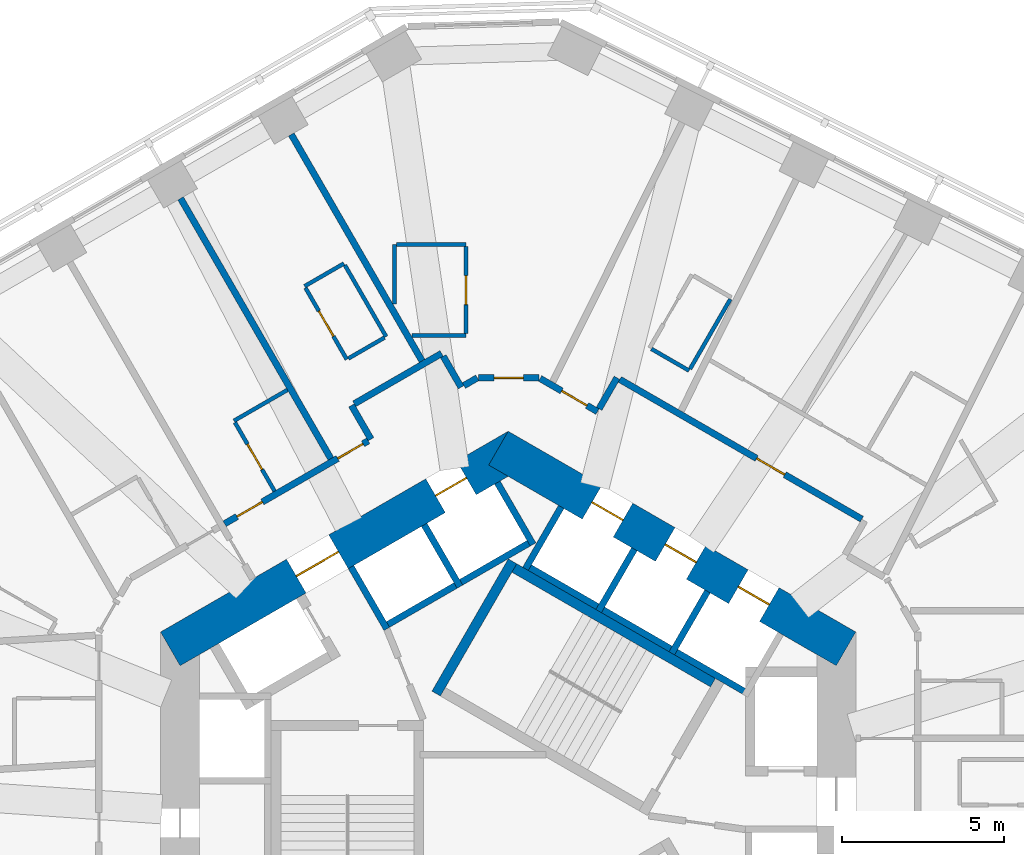
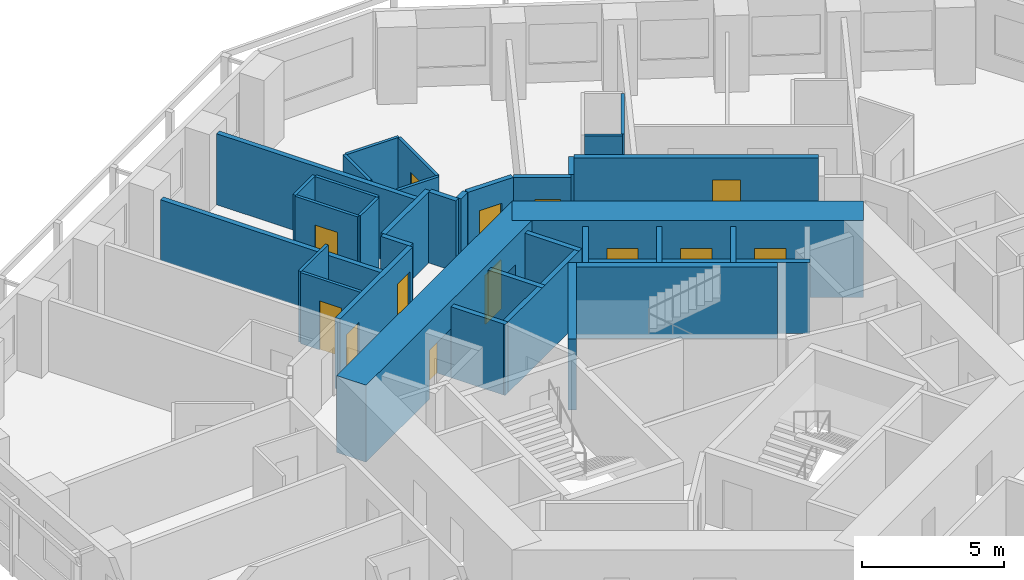
# One storey, part 8 of 12: 35 walls, 13 doors, 13 openings.
"""IFC4 building model written with IfcOpenShell, lengths in metres."""

import ifcopenshell
import ifcopenshell.guid

model = None  # the IFC model being written
_history = None  # IfcOwnerHistory: only IFC2X3 demands one
_inside = {}  # id of a spatial element -> (the spatial element, [elements in it])
_under = {}  # id of a project, library or spatial element -> (it, [spatial elements below it])
_declared = {}  # id of a project -> (the project, [libraries it declares])
_typed = {}  # id of a type object -> (the type object, [elements of that type])
_made_of = {}  # id of a material, layer set ... -> (it, [elements and type objects made of it])


def new_model(schema):
    """Start an empty IFC model of exactly this schema.

    Asked for "IFC4X3", IfcOpenShell would pick the latest addendum, in which some entities
    have other attributes; the version numbers below select the first issue.
    IFC2X3 requires an IfcOwnerHistory on every rooted entity: one is made here for all.
    """
    global model, _history
    if schema == "IFC4X3":
        model = ifcopenshell.file(schema_version=(4, 3, 0, 0))
    else:
        model = ifcopenshell.file(schema=schema)
    _inside.clear()
    _under.clear()
    _declared.clear()
    _typed.clear()
    _made_of.clear()
    _history = None
    if model.schema == "IFC2X3":
        org = make("IfcOrganization", Name="unknown")
        user = make(
            "IfcPersonAndOrganization",
            ThePerson=make("IfcPerson", FamilyName="unknown"),
            TheOrganization=org,
        )
        app = make(
            "IfcApplication",
            ApplicationDeveloper=org,
            Version="unknown",
            ApplicationFullName="unknown",
            ApplicationIdentifier="unknown",
        )
        _history = make(
            "IfcOwnerHistory",
            OwningUser=user,
            OwningApplication=app,
            ChangeAction="ADDED",
            CreationDate=0,
        )
    return model


def make(cls, **values):
    """One entity of the class cls with the attributes given. An attribute that is None is left unset."""
    return model.create_entity(
        cls, **{name: value for name, value in values.items() if value is not None}
    )


def rooted(cls, **values):
    """An entity with a GlobalId (a new one), such as an element, a storey or a relation."""
    return make(cls, GlobalId=ifcopenshell.guid.new(), OwnerHistory=_history, **values)


def si_unit(unit_type, name, prefix=None):
    """IfcSIUnit, for example si_unit("LENGTHUNIT", "METRE", prefix="MILLI")."""
    return make("IfcSIUnit", UnitType=unit_type, Prefix=prefix, Name=name)


def assignment(units):
    """IfcUnitAssignment: the units of a project."""
    return None if units is None else make("IfcUnitAssignment", Units=units)


def point(xyz):
    """IfcCartesianPoint."""
    return None if xyz is None else make("IfcCartesianPoint", Coordinates=xyz)


def direction(xyz):
    """IfcDirection."""
    return None if xyz is None else make("IfcDirection", DirectionRatios=xyz)


def frame(location, z_axis=None, x_axis=None):
    """IfcAxis2Placement3D, a coordinate frame: its origin and axes. An axis left out is left unset."""
    return make(
        "IfcAxis2Placement3D",
        Location=point(location),
        Axis=direction(z_axis),
        RefDirection=direction(x_axis),
    )


def frame_2d(location, x_axis=None):
    """IfcAxis2Placement2D, a coordinate frame in the plane: its origin and x axis."""
    return make(
        "IfcAxis2Placement2D", Location=point(location), RefDirection=direction(x_axis)
    )


def origin():
    """The frame at (0, 0, 0) with its axes left unset."""
    return frame((0.0, 0.0, 0.0))


def place(relative_to, where):
    """IfcLocalPlacement: puts the frame where relative to a parent placement (None: the world)."""
    return make(
        "IfcLocalPlacement", PlacementRelTo=relative_to, RelativePlacement=where
    )


def context(
    kind, dimensions, precision=None, world=None, true_north=None, identifier=None
):
    """IfcGeometricRepresentationContext, for example the 3D "Model" context."""
    return make(
        "IfcGeometricRepresentationContext",
        ContextIdentifier=identifier,
        ContextType=kind,
        CoordinateSpaceDimension=dimensions,
        Precision=precision,
        WorldCoordinateSystem=world,
        TrueNorth=true_north,
    )


def subcontext(parent, identifier, kind, view, scale=None):
    """IfcGeometricRepresentationSubContext, for example "Body" below "Model"."""
    return make(
        "IfcGeometricRepresentationSubContext",
        ContextIdentifier=identifier,
        ContextType=kind,
        ParentContext=parent,
        TargetScale=scale,
        TargetView=view,
    )


def project(units=None, contexts=None):
    """IfcProject with its units and contexts."""
    return rooted(
        "IfcProject",
        Name="project",
        RepresentationContexts=contexts,
        UnitsInContext=assignment(units),
    )


def spatial(cls, under=None, at=None, **own):
    """A site, building, storey or space (cls), placed at a placement, below another one or the project."""
    s = rooted(cls, ObjectPlacement=at, **own)
    if under is not None:
        _under.setdefault(under.id(), (under, []))[1].append(s)
    return s


def profile(cls, at=None, kind="AREA", **sizes):
    """A parametric profile (cls). Its sizes go by their IFC names, for example OverallWidth=200.0."""
    return make(cls, ProfileType=kind, Position=at, **sizes)


def rectangle(**sizes):
    """IfcRectangleProfileDef."""
    return profile("IfcRectangleProfileDef", **sizes)


def extrude(swept, where, along, depth):
    """IfcExtrudedAreaSolid: the profile swept, set in the frame where, extruded along a direction by depth."""
    return make(
        "IfcExtrudedAreaSolid",
        SweptArea=swept,
        Position=where,
        ExtrudedDirection=direction(along),
        Depth=depth,
    )


def shape(context_of_items, identifier, shape_type, items):
    """IfcShapeRepresentation: the items that make up one representation, for example the "Body"."""
    return make(
        "IfcShapeRepresentation",
        ContextOfItems=context_of_items,
        RepresentationIdentifier=identifier,
        RepresentationType=shape_type,
        Items=items,
    )


def material(Name=None, Category=None):
    """IfcMaterial."""
    return make("IfcMaterial", Name=Name, Category=Category)


def layer(
    of_material, thickness, ventilated=None, Name=None, Category=None, Priority=None
):
    """IfcMaterialLayer: one layer of a wall or slab, of a material (None: an air gap)."""
    return make(
        "IfcMaterialLayer",
        Material=of_material,
        LayerThickness=thickness,
        IsVentilated=ventilated,
        Name=Name,
        Category=Category,
        Priority=Priority,
    )


def layer_set(layers, Name=None):
    """IfcMaterialLayerSet."""
    return make("IfcMaterialLayerSet", MaterialLayers=layers, LayerSetName=Name)


def made_of(thing, what):
    """Note that an element or type object is made of a material, layer set ...; save() writes the relation."""
    if what is not None:
        _made_of.setdefault(what.id(), (what, []))[1].append(thing)
    return thing


def type_object(cls, material=None, **own):
    """A type object (cls), such as IfcWallType, which elements share."""
    return made_of(rooted(cls, **own), material)


def element(
    cls,
    number,
    at=None,
    inside=None,
    cuts=None,
    type_object=None,
    material=None,
    context=None,
    identifier="Body",
    shape_type=None,
    held_by="IfcProductDefinitionShape",
    body=None,
    shapes=None,
    **own,
):
    """One element of the class cls, such as IfcWall. Its Tag is "e" and its number.

    at: its placement. inside: the storey or other place that contains it. cuts: it is an
    opening in that element (IfcRelVoidsElement). A single representation is given by context,
    identifier, shape_type and body (its items); several are given by shapes. held_by: the class
    of the entity that holds the representations. save() writes the other relations.
    """
    e = rooted(cls, Tag="e%d" % number, ObjectPlacement=at, **own)
    if body is not None:
        shapes = [shape(context, identifier, shape_type, body)]
    if shapes is not None:
        e.Representation = make(held_by, Representations=shapes)
    if inside is not None:
        _inside.setdefault(inside.id(), (inside, []))[1].append(e)
    if cuts is not None:
        rooted(
            "IfcRelVoidsElement", RelatingBuildingElement=cuts, RelatedOpeningElement=e
        )
    if type_object is not None:
        _typed.setdefault(type_object.id(), (type_object, []))[1].append(e)
    return made_of(e, material)


def fill(opening, filler):
    """IfcRelFillsElement: the door or window that sits in an opening."""
    return rooted(
        "IfcRelFillsElement",
        RelatingOpeningElement=opening,
        RelatedBuildingElement=filler,
    )


def aggregate(whole, parts):
    """IfcRelAggregates: a whole, such as a stair, and the parts it consists of."""
    return rooted("IfcRelAggregates", RelatingObject=whole, RelatedObjects=parts)


def save(model, path):
    """Write the relations noted so far, then the file.

    IfcRelAggregates (storeys below a building ...), IfcRelContainedInSpatialStructure (elements
    in a storey), IfcRelDefinesByType, IfcRelAssociatesMaterial and IfcRelDeclares: one each for
    every whole, place, type object, material and project.
    """
    for whole, parts in _under.values():
        aggregate(whole, parts)
    for where, things in _inside.values():
        rooted(
            "IfcRelContainedInSpatialStructure",
            RelatedElements=things,
            RelatingStructure=where,
        )
    for kind, things in _typed.values():
        rooted("IfcRelDefinesByType", RelatedObjects=things, RelatingType=kind)
    for what, things in _made_of.values():
        rooted("IfcRelAssociatesMaterial", RelatedObjects=things, RelatingMaterial=what)
    for by, libraries in _declared.values():
        rooted("IfcRelDeclares", RelatingContext=by, RelatedDefinitions=libraries)
    model.write(path)


model = new_model("IFC4")

# Units and contexts
model_context = context("Model", 3, precision=1e-05, world=origin(), true_north=direction((0.0, 1.0)))
body_context = subcontext(model_context, "Body", "Model", "MODEL_VIEW")
ifc_project = project(units=[si_unit("LENGTHUNIT", "METRE"), si_unit("AREAUNIT", "SQUARE_METRE"), si_unit("VOLUMEUNIT", "CUBIC_METRE"), si_unit("PLANEANGLEUNIT", "RADIAN"), si_unit("MASSUNIT", "GRAM", prefix="KILO")], contexts=[model_context])

# Site, building, storey
site_placement = place(None, origin())
site = spatial("IfcSite", under=ifc_project, at=site_placement, CompositionType="ELEMENT")
building_placement = place(site_placement, origin())
building = spatial("IfcBuilding", under=site, at=building_placement, Name="Vanh Sen Convention Tower", CompositionType="ELEMENT")
storey_placement = place(building_placement, frame((0.0, 0.0, 90.199951171875)))
storey = spatial("IfcBuildingStorey", under=building, at=storey_placement, Name="L20", CompositionType="ELEMENT", Elevation=90.199951171875)

# Wall
ifc_material_1 = material(Name="Moisture-resistant gypsum board on steel studs", Category="steel")
ifc_layer_1 = layer(ifc_material_1, 0.1201171875)
ifc_layer_set_1 = layer_set([ifc_layer_1], Name="Moisture-resistant gypsum board on steel studs")
wall_type_1 = type_object("IfcWallType", Name="Bathroom partition 120", PredefinedType="PARTITIONING", material=ifc_layer_set_1)
wall_1_placement = place(storey_placement, frame((-8.43994140625, 12.6787109375, 0.0), z_axis=(0.0, 0.0, 1.0), x_axis=(0.866044365799, 0.499967155389, 0.0)))
element("IfcWall", 1, at=wall_1_placement, inside=storey, type_object=wall_type_1, Name="Bathroom partition 120", PredefinedType="PARTITIONING", context=body_context, shape_type="SweptSolid", body=[
    extrude(rectangle(XDim=1.900146484375, YDim=0.1201171875, at=frame_2d((0.9501953125, 0.0))), origin(), (0.0, 0.0, 1.0), 3.050048828125),
])

# Wall, opening, door
wall_2_placement = place(storey_placement, frame((-7.18994140625, 10.513427734375, 0.0), z_axis=(0.0, 0.0, 1.0), x_axis=(-0.499959183527, 0.866048967903, 0.0)))
wall_2 = element("IfcWall", 2, at=wall_2_placement, inside=storey, type_object=wall_type_1, Name="Bathroom partition 120", PredefinedType="PARTITIONING", context=body_context, shape_type="SweptSolid", body=[
    extrude(rectangle(XDim=2.440185546875, YDim=0.1201171875, at=frame_2d((1.22021484375, 0.0))), origin(), (0.0, 0.0, 1.0), 3.050048828125),
])
opening_1_placement = place(wall_2_placement, frame((0.77001953125, 0.0, 0.0)))
opening_1 = element("IfcOpeningElement", 3, at=opening_1_placement, cuts=wall_2, Name="Opening D19120", PredefinedType="OPENING", context=body_context, shape_type="SweptSolid", body=[
    extrude(rectangle(XDim=0.89990234375, YDim=2.10009765625, at=frame_2d((0.449951171875, 1.050048828125))), frame((0.0, 0.070068359375, 0.0), z_axis=(0.0, -1.0, 0.0), x_axis=(1.0, 0.0, 0.0)), (0.0, 0.0, 1.0), 0.14013671875),
])
ifc_material_2 = material(Name="Laminate door in steel frame", Category="steel")
door_type_1 = type_object("IfcDoorType", Name="En-suite door 900", OperationType="SINGLE_SWING_LEFT", PredefinedType="DOOR", material=ifc_material_2)
door_1_placement = place(opening_1_placement, origin())
door_1 = element("IfcDoor", 4, at=door_1_placement, inside=storey, type_object=door_type_1, Name="En-suite door D19120", OperationType="SINGLE_SWING_LEFT", OverallHeight=2.10009765625, OverallWidth=0.89990234375, PredefinedType="DOOR", context=body_context, shape_type="SweptSolid", body=[
    extrude(rectangle(XDim=0.89990234375, YDim=2.10009765625, at=frame_2d((0.449951171875, 1.050048828125))), frame((0.0, 0.02490234375, 0.0), z_axis=(0.0, -1.0, 0.0), x_axis=(1.0, 0.0, 0.0)), (0.0, 0.0, 1.0), 0.050048828125),
])
fill(opening_1, door_1)

# Walls
wall_3_placement = place(storey_placement, frame((-6.268310546875, 16.8203125, 0.0), z_axis=(0.0, 0.0, 1.0), x_axis=(0.866002662425, 0.500039387122, 0.0)))
element("IfcWall", 5, at=wall_3_placement, inside=storey, type_object=wall_type_1, Name="Bathroom partition 120", PredefinedType="PARTITIONING", context=body_context, shape_type="SweptSolid", body=[
    extrude(rectangle(XDim=1.400390625, YDim=0.1201171875, at=frame_2d((0.7001953125, 0.0))), origin(), (0.0, 0.0, 1.0), 3.050048828125),
])
wall_4_placement = place(storey_placement, frame((-5.025634765625, 17.468505859375, 0.0), z_axis=(0.0, 0.0, 1.0), x_axis=(0.500005339912, -0.866022320763, 0.0)))
element("IfcWall", 6, at=wall_4_placement, inside=storey, type_object=wall_type_1, Name="Bathroom partition 120", PredefinedType="PARTITIONING", context=body_context, shape_type="SweptSolid", body=[
    extrude(rectangle(XDim=2.5400390625, YDim=0.1201171875, at=frame_2d((1.27001953125, 0.0))), origin(), (0.0, 0.0, 1.0), 3.050048828125),
])

# Wall, opening, door
wall_5_placement = place(storey_placement, frame((-4.96826171875, 14.56884765625, 0.0), z_axis=(0.0, 0.0, 1.0), x_axis=(-0.500046963369, 0.865998287773, 0.0)))
wall_5 = element("IfcWall", 7, at=wall_5_placement, inside=storey, type_object=wall_type_1, Name="Bathroom partition 120", PredefinedType="PARTITIONING", context=body_context, shape_type="SweptSolid", body=[
    extrude(rectangle(XDim=2.539794921875, YDim=0.1201171875, at=frame_2d((1.27001953125, 0.0))), origin(), (0.0, 0.0, 1.0), 3.050048828125),
])
opening_2_placement = place(wall_5_placement, frame((0.820068359375, 0.0, 0.0)))
opening_2 = element("IfcOpeningElement", 8, at=opening_2_placement, cuts=wall_5, Name="Opening D19118", PredefinedType="OPENING", context=body_context, shape_type="SweptSolid", body=[
    extrude(rectangle(XDim=0.89990234375, YDim=2.10009765625, at=frame_2d((0.449951171875, 1.050048828125))), frame((0.0, 0.070068359375, 0.0), z_axis=(0.0, -1.0, 0.0), x_axis=(1.0, 0.0, 0.0)), (0.0, 0.0, 1.0), 0.14013671875),
])
door_2_placement = place(opening_2_placement, origin())
door_2 = element("IfcDoor", 9, at=door_2_placement, inside=storey, type_object=door_type_1, Name="En-suite door D19118", OperationType="SINGLE_SWING_LEFT", OverallHeight=2.10009765625, OverallWidth=0.89990234375, PredefinedType="DOOR", context=body_context, shape_type="SweptSolid", body=[
    extrude(rectangle(XDim=0.89990234375, YDim=2.10009765625, at=frame_2d((0.449951171875, 1.050048828125))), frame((0.0, 0.02490234375, 0.0), z_axis=(0.0, -1.0, 0.0), x_axis=(1.0, 0.0, 0.0)), (0.0, 0.0, 1.0), 0.050048828125),
])
fill(opening_2, door_2)

# Walls
wall_6_placement = place(storey_placement, frame((-3.8076171875, 15.23876953125, 0.0), z_axis=(0.0, 0.0, 1.0), x_axis=(-0.866087136806, -0.499893060024, 0.0)))
element("IfcWall", 10, at=wall_6_placement, inside=storey, type_object=wall_type_1, Name="Bathroom partition 120", PredefinedType="PARTITIONING", context=body_context, shape_type="SweptSolid", body=[
    extrude(rectangle(XDim=1.280029296875, YDim=0.1201171875, at=frame_2d((0.64013671875, 0.0))), origin(), (0.0, 0.0, 1.0), 3.050048828125),
])
wall_7_placement = place(storey_placement, frame((-3.5, 16.271484375, 0.0), z_axis=(0.0, 0.0, 1.0), x_axis=(0.0, 1.0, 0.0)))
element("IfcWall", 11, at=wall_7_placement, inside=storey, type_object=wall_type_1, Name="Bathroom partition 120", PredefinedType="PARTITIONING", context=body_context, shape_type="SweptSolid", body=[
    extrude(rectangle(XDim=1.8291015625, YDim=0.1201171875, at=frame_2d((0.91455078125, 0.0))), origin(), (0.0, 0.0, 1.0), 3.050048828125),
])
wall_8_placement = place(storey_placement, frame((-3.43994140625, 18.1005859375, 0.0), z_axis=(0.0, 0.0, 1.0), x_axis=(1.0, 0.0, 0.0)))
element("IfcWall", 12, at=wall_8_placement, inside=storey, type_object=wall_type_1, Name="Bathroom partition 120", PredefinedType="PARTITIONING", context=body_context, shape_type="SweptSolid", body=[
    extrude(rectangle(XDim=2.139892578125, YDim=0.1201171875, at=frame_2d((1.06982421875, 0.0))), origin(), (0.0, 0.0, 1.0), 3.050048828125),
])
wall_9_placement = place(storey_placement, frame((-1.300048828125, 15.30078125, 0.0), z_axis=(0.0, 0.0, 1.0), x_axis=(-1.0, 0.0, 0.0)))
element("IfcWall", 13, at=wall_9_placement, inside=storey, type_object=wall_type_1, Name="Bathroom partition 120", PredefinedType="PARTITIONING", context=body_context, shape_type="SweptSolid", body=[
    extrude(rectangle(XDim=1.6611328125, YDim=0.1201171875, at=frame_2d((0.83056640625, 0.0))), origin(), (0.0, 0.0, 1.0), 3.050048828125),
])

# Wall, opening, door
wall_10_placement = place(storey_placement, frame((-1.300048828125, 18.040771484375, 0.0), z_axis=(0.0, 0.0, 1.0), x_axis=(0.0, -1.0, 0.0)))
wall_10 = element("IfcWall", 14, at=wall_10_placement, inside=storey, type_object=wall_type_1, Name="Bathroom partition 120", PredefinedType="PARTITIONING", context=body_context, shape_type="SweptSolid", body=[
    extrude(rectangle(XDim=2.68017578125, YDim=0.1201171875, at=frame_2d((1.340087890625, 0.0))), origin(), (0.0, 0.0, 1.0), 3.050048828125),
])
opening_3_placement = place(wall_10_placement, frame((0.889892578125, 0.0, 0.0)))
opening_3 = element("IfcOpeningElement", 15, at=opening_3_placement, cuts=wall_10, Name="Opening D19116", PredefinedType="OPENING", context=body_context, shape_type="SweptSolid", body=[
    extrude(rectangle(XDim=0.89990234375, YDim=2.10009765625, at=frame_2d((0.449951171875, 1.050048828125))), frame((0.0, 0.070068359375, 0.0), z_axis=(0.0, -1.0, 0.0), x_axis=(1.0, 0.0, 0.0)), (0.0, 0.0, 1.0), 0.14013671875),
])
door_3_placement = place(opening_3_placement, origin())
door_3 = element("IfcDoor", 16, at=door_3_placement, inside=storey, type_object=door_type_1, Name="En-suite door D19116", OperationType="SINGLE_SWING_LEFT", OverallHeight=2.10009765625, OverallWidth=0.89990234375, PredefinedType="DOOR", context=body_context, shape_type="SweptSolid", body=[
    extrude(rectangle(XDim=0.89990234375, YDim=2.10009765625, at=frame_2d((0.449951171875, 1.050048828125))), frame((0.0, 0.02490234375, 0.0), z_axis=(0.0, -1.0, 0.0), x_axis=(1.0, 0.0, 0.0)), (0.0, 0.0, 1.0), 0.050048828125),
])
fill(opening_3, door_3)

# Walls
wall_11_placement = place(storey_placement, frame((5.568603515625, 14.22216796875, 0.0), z_axis=(0.0, 0.0, 1.0), x_axis=(-0.866036909293, 0.499980071345, 0.0)))
element("IfcWall", 17, at=wall_11_placement, inside=storey, type_object=wall_type_1, Name="Bathroom partition 120", PredefinedType="PARTITIONING", context=body_context, shape_type="SweptSolid", body=[
    extrude(rectangle(XDim=1.33984375, YDim=0.1201171875, at=frame_2d((0.669921875, 0.0))), origin(), (0.0, 0.0, 1.0), 3.050048828125),
])
wall_12_placement = place(storey_placement, frame((6.838623046875, 16.421875, 0.0), z_axis=(0.0, 0.0, 1.0), x_axis=(-0.50000366821, -0.866023285932, 0.0)))
element("IfcWall", 18, at=wall_12_placement, inside=storey, type_object=wall_type_1, Name="Bathroom partition 120", PredefinedType="PARTITIONING", context=body_context, shape_type="SweptSolid", body=[
    extrude(rectangle(XDim=2.47998046875, YDim=0.1201171875, at=frame_2d((1.239990234375, 0.0))), origin(), (0.0, 0.0, 1.0), 3.050048828125),
])

# Wall, openings, doors
ifc_material_3 = material(Name="Concrete C80/95", Category="concrete")
ifc_layer_2 = layer(ifc_material_3, 1.199951171875)
ifc_layer_set_2 = layer_set([ifc_layer_2], Name="Concrete C80/95")
wall_type_2 = type_object("IfcWallType", Name="Core outer wall 1200 C80/95", PredefinedType="SHEAR", material=ifc_layer_set_2)
wall_13_placement = place(storey_placement, frame((10.39990234375, 5.657958984375, 0.0), z_axis=(0.0, 0.0, 1.0), x_axis=(-0.866021384402, 0.500006961711, 0.0)))
wall_13 = element("IfcWall", 19, at=wall_13_placement, inside=storey, type_object=wall_type_2, Name="Core wall face NE L20", PredefinedType="SHEAR", context=body_context, shape_type="SweptSolid", body=[
    extrude(rectangle(XDim=12.355224609375, YDim=1.199951171875, at=frame_2d((6.177734375, 0.0))), origin(), (0.0, 0.0, 1.0), 3.300048828125),
])
opening_4_placement = place(wall_13_placement, frame((2.727783203125, 0.0, 0.0)))
opening_4 = element("IfcOpeningElement", 20, at=opening_4_placement, cuts=wall_13, Name="Opening LD-LR3", PredefinedType="OPENING", context=body_context, shape_type="SweptSolid", body=[
    extrude(rectangle(XDim=1.10009765625, YDim=2.10009765625, at=frame_2d((0.550048828125, 1.050048828125))), frame((0.0, 0.60986328125, 0.0), z_axis=(0.0, -1.0, 0.0), x_axis=(1.0, 0.0, 0.0)), (0.0, 0.0, 1.0), 1.219970703125),
])
opening_5_placement = place(wall_13_placement, frame((5.32763671875, 0.0, 0.0)))
opening_5 = element("IfcOpeningElement", 21, at=opening_5_placement, cuts=wall_13, Name="Opening LD-LR4", PredefinedType="OPENING", context=body_context, shape_type="SweptSolid", body=[
    extrude(rectangle(XDim=1.10009765625, YDim=2.10009765625, at=frame_2d((0.550048828125, 1.050048828125))), frame((0.0, 0.60986328125, 0.0), z_axis=(0.0, -1.0, 0.0), x_axis=(1.0, 0.0, 0.0)), (0.0, 0.0, 1.0), 1.219970703125),
])
opening_6_placement = place(wall_13_placement, frame((7.927734375, 0.0, 0.0)))
opening_6 = element("IfcOpeningElement", 22, at=opening_6_placement, cuts=wall_13, Name="Opening LD-LR5", PredefinedType="OPENING", context=body_context, shape_type="SweptSolid", body=[
    extrude(rectangle(XDim=1.10009765625, YDim=2.10009765625, at=frame_2d((0.550048828125, 1.050048828125))), frame((0.0, 0.60986328125, 0.0), z_axis=(0.0, -1.0, 0.0), x_axis=(1.0, 0.0, 0.0)), (0.0, 0.0, 1.0), 1.219970703125),
])
ifc_material_4 = material(Name="Stainless steel", Category="steel")
door_type_2 = type_object("IfcDoorType", Name="Lift landing door 1100", OperationType="DOUBLE_DOOR_SLIDING", PredefinedType="DOOR", material=ifc_material_4)
door_4_placement = place(opening_4_placement, origin())
door_4 = element("IfcDoor", 23, at=door_4_placement, inside=storey, type_object=door_type_2, Name="Lift LR3 landing door LD-LR3", OperationType="DOUBLE_DOOR_SLIDING", OverallHeight=2.10009765625, OverallWidth=1.10009765625, PredefinedType="DOOR", context=body_context, shape_type="SweptSolid", body=[
    extrude(rectangle(XDim=1.10009765625, YDim=2.10009765625, at=frame_2d((0.550048828125, 1.050048828125))), frame((0.0, 0.02490234375, 0.0), z_axis=(0.0, -1.0, 0.0), x_axis=(1.0, 0.0, 0.0)), (0.0, 0.0, 1.0), 0.050048828125),
])
fill(opening_4, door_4)
door_5_placement = place(opening_5_placement, origin())
door_5 = element("IfcDoor", 24, at=door_5_placement, inside=storey, type_object=door_type_2, Name="Lift LR4 landing door LD-LR4", OperationType="DOUBLE_DOOR_SLIDING", OverallHeight=2.10009765625, OverallWidth=1.10009765625, PredefinedType="DOOR", context=body_context, shape_type="SweptSolid", body=[
    extrude(rectangle(XDim=1.10009765625, YDim=2.10009765625, at=frame_2d((0.550048828125, 1.050048828125))), frame((0.0, 0.02490234375, 0.0), z_axis=(0.0, -1.0, 0.0), x_axis=(1.0, 0.0, 0.0)), (0.0, 0.0, 1.0), 0.050048828125),
])
fill(opening_5, door_5)
door_6_placement = place(opening_6_placement, origin())
door_6 = element("IfcDoor", 25, at=door_6_placement, inside=storey, type_object=door_type_2, Name="Lift LR5 landing door LD-LR5", OperationType="DOUBLE_DOOR_SLIDING", OverallHeight=2.10009765625, OverallWidth=1.10009765625, PredefinedType="DOOR", context=body_context, shape_type="SweptSolid", body=[
    extrude(rectangle(XDim=1.10009765625, YDim=2.10009765625, at=frame_2d((0.550048828125, 1.050048828125))), frame((0.0, 0.02490234375, 0.0), z_axis=(0.0, -1.0, 0.0), x_axis=(1.0, 0.0, 0.0)), (0.0, 0.0, 1.0), 0.050048828125),
])
fill(opening_6, door_6)

wall_14_placement = place(storey_placement, frame((0.300048828125, 11.835693359375, 0.0), z_axis=(0.0, 0.0, 1.0), x_axis=(-0.866021384402, -0.500006961711, 0.0)))
wall_14 = element("IfcWall", 26, at=wall_14_placement, inside=storey, type_object=wall_type_2, Name="Core wall face NW L20", PredefinedType="SHEAR", context=body_context, shape_type="SweptSolid", body=[
    extrude(rectangle(XDim=12.355224609375, YDim=1.199951171875, at=frame_2d((6.177734375, 0.0))), origin(), (0.0, 0.0, 1.0), 3.300048828125),
])
opening_7_placement = place(wall_14_placement, frame((6.377685546875, 0.0, 0.0)))
opening_7 = element("IfcOpeningElement", 27, at=opening_7_placement, cuts=wall_14, Name="Opening D19002", PredefinedType="OPENING", context=body_context, shape_type="SweptSolid", body=[
    extrude(rectangle(XDim=1.5, YDim=2.10009765625, at=frame_2d((0.75, 1.050048828125))), frame((0.0, 0.60986328125, 0.0), z_axis=(0.0, -1.0, 0.0), x_axis=(1.0, 0.0, 0.0)), (0.0, 0.0, 1.0), 1.219970703125),
])
opening_8_placement = place(wall_14_placement, frame((1.82763671875, 0.0, 0.0)))
opening_8 = element("IfcOpeningElement", 28, at=opening_8_placement, cuts=wall_14, Name="Opening LD-LR6", PredefinedType="OPENING", context=body_context, shape_type="SweptSolid", body=[
    extrude(rectangle(XDim=1.10009765625, YDim=2.10009765625, at=frame_2d((0.550048828125, 1.050048828125))), frame((0.0, 0.60986328125, 0.0), z_axis=(0.0, -1.0, 0.0), x_axis=(1.0, 0.0, 0.0)), (0.0, 0.0, 1.0), 1.219970703125),
])
door_7_placement = place(opening_8_placement, origin())
door_7 = element("IfcDoor", 29, at=door_7_placement, inside=storey, type_object=door_type_2, Name="Lift LR6 landing door LD-LR6", OperationType="DOUBLE_DOOR_SLIDING", OverallHeight=2.10009765625, OverallWidth=1.10009765625, PredefinedType="DOOR", context=body_context, shape_type="SweptSolid", body=[
    extrude(rectangle(XDim=1.10009765625, YDim=2.10009765625, at=frame_2d((0.550048828125, 1.050048828125))), frame((0.0, 0.02490234375, 0.0), z_axis=(0.0, -1.0, 0.0), x_axis=(1.0, 0.0, 0.0)), (0.0, 0.0, 1.0), 0.050048828125),
])
fill(opening_8, door_7)
ifc_material_5 = material(Name="Steel S355", Category="steel")
door_type_3 = type_object("IfcDoorType", Name="Stair lobby door 1500", OperationType="DOUBLE_DOOR_SINGLE_SWING", PredefinedType="DOOR", material=ifc_material_5)
door_8_placement = place(opening_7_placement, origin())
door_8 = element("IfcDoor", 30, at=door_8_placement, inside=storey, type_object=door_type_3, Name="Stair lobby door D19002", OperationType="DOUBLE_DOOR_SINGLE_SWING", OverallHeight=2.10009765625, OverallWidth=1.5, PredefinedType="DOOR", context=body_context, shape_type="SweptSolid", body=[
    extrude(rectangle(XDim=1.5, YDim=2.10009765625, at=frame_2d((0.75, 1.050048828125))), frame((0.0, 0.02490234375, 0.0), z_axis=(0.0, -1.0, 0.0), x_axis=(1.0, 0.0, 0.0)), (0.0, 0.0, 1.0), 0.050048828125),
])
fill(opening_7, door_8)

# Wall
ifc_material_6 = material(Name="Gypsum board on steel studs with mineral wool", Category="steel")
ifc_layer_3 = layer(ifc_material_6, 0.199951171875)
ifc_layer_set_3 = layer_set([ifc_layer_3], Name="Gypsum board on steel studs with mineral wool")
wall_type_3 = type_object("IfcWallType", Name="Corridor partition wall 200", PredefinedType="PARTITIONING", material=ifc_layer_set_3)
wall_15_placement = place(storey_placement, frame((-4.822998046875, 13.151611328125, 0.0), z_axis=(0.0, 0.0, 1.0), x_axis=(0.499986357472, -0.866033280158, 0.0)))
element("IfcWall", 31, at=wall_15_placement, inside=storey, type_object=wall_type_3, Name="Corridor partition wall 200", PredefinedType="PARTITIONING", context=body_context, shape_type="SweptSolid", body=[
    extrude(rectangle(XDim=1.201171875, YDim=0.199951171875, at=frame_2d((0.6005859375, 0.0))), origin(), (0.0, 0.0, 1.0), 3.050048828125),
])

# Wall, openings, doors
wall_16_placement = place(storey_placement, frame((-4.30908203125, 12.061279296875, 0.0), z_axis=(0.0, 0.0, 1.0), x_axis=(-0.866020679205, -0.500008183122, 0.0)))
wall_16 = element("IfcWall", 32, at=wall_16_placement, inside=storey, type_object=wall_type_3, Name="Corridor partition wall 200", PredefinedType="PARTITIONING", context=body_context, shape_type="SweptSolid", body=[
    extrude(rectangle(XDim=5.103515625, YDim=0.199951171875, at=frame_2d((2.5517578125, 0.0))), origin(), (0.0, 0.0, 1.0), 3.050048828125),
])
opening_9_placement = place(wall_16_placement, frame((0.1845703125, 0.0, 0.0)))
opening_9 = element("IfcOpeningElement", 33, at=opening_9_placement, cuts=wall_16, Name="Opening D19117", PredefinedType="OPENING", context=body_context, shape_type="SweptSolid", body=[
    extrude(rectangle(XDim=0.89990234375, YDim=2.10009765625, at=frame_2d((0.449951171875, 1.050048828125))), frame((0.0, 0.10986328125, 0.0), z_axis=(0.0, -1.0, 0.0), x_axis=(1.0, 0.0, 0.0)), (0.0, 0.0, 1.0), 0.219970703125),
])
opening_10_placement = place(wall_16_placement, frame((3.76123046875, 0.0, 0.0)))
opening_10 = element("IfcOpeningElement", 34, at=opening_10_placement, cuts=wall_16, Name="Opening D19119", PredefinedType="OPENING", context=body_context, shape_type="SweptSolid", body=[
    extrude(rectangle(XDim=0.89990234375, YDim=2.10009765625, at=frame_2d((0.449951171875, 1.050048828125))), frame((0.0, 0.10986328125, 0.0), z_axis=(0.0, -1.0, 0.0), x_axis=(1.0, 0.0, 0.0)), (0.0, 0.0, 1.0), 0.219970703125),
])
ifc_material_7 = material(Name="Timber fire door in steel frame", Category="steel")
door_type_4 = type_object("IfcDoorType", Name="Guest room door 900", OperationType="SINGLE_SWING_LEFT", PredefinedType="DOOR", material=ifc_material_7)
door_9_placement = place(opening_9_placement, origin())
door_9 = element("IfcDoor", 35, at=door_9_placement, inside=storey, type_object=door_type_4, Name="Hotel guest room door D19117", OperationType="SINGLE_SWING_LEFT", OverallHeight=2.10009765625, OverallWidth=0.89990234375, PredefinedType="DOOR", context=body_context, shape_type="SweptSolid", body=[
    extrude(rectangle(XDim=0.89990234375, YDim=2.10009765625, at=frame_2d((0.449951171875, 1.050048828125))), frame((0.0, 0.02490234375, 0.0), z_axis=(0.0, -1.0, 0.0), x_axis=(1.0, 0.0, 0.0)), (0.0, 0.0, 1.0), 0.050048828125),
])
fill(opening_9, door_9)
door_10_placement = place(opening_10_placement, origin())
door_10 = element("IfcDoor", 36, at=door_10_placement, inside=storey, type_object=door_type_4, Name="Hotel guest room door D19119", OperationType="SINGLE_SWING_LEFT", OverallHeight=2.10009765625, OverallWidth=0.89990234375, PredefinedType="DOOR", context=body_context, shape_type="SweptSolid", body=[
    extrude(rectangle(XDim=0.89990234375, YDim=2.10009765625, at=frame_2d((0.449951171875, 1.050048828125))), frame((0.0, 0.02490234375, 0.0), z_axis=(0.0, -1.0, 0.0), x_axis=(1.0, 0.0, 0.0)), (0.0, 0.0, 1.0), 0.050048828125),
])
fill(opening_10, door_10)

# Walls
wall_17_placement = place(storey_placement, frame((-2.0498046875, 14.75244140625, 0.0), z_axis=(0.0, 0.0, 1.0), x_axis=(-0.866030936828, -0.499990416364, 0.0)))
element("IfcWall", 37, at=wall_17_placement, inside=storey, type_object=wall_type_3, Name="Corridor partition wall 200", PredefinedType="PARTITIONING", context=body_context, shape_type="SweptSolid", body=[
    extrude(rectangle(XDim=3.10205078125, YDim=0.199951171875, at=frame_2d((1.551025390625, 0.0))), origin(), (0.0, 0.0, 1.0), 3.050048828125),
])
wall_18_placement = place(storey_placement, frame((-1.449462890625, 13.71240234375, 0.0), z_axis=(0.0, 0.0, 1.0), x_axis=(-0.499978356969, 0.866037899034, 0.0)))
element("IfcWall", 38, at=wall_18_placement, inside=storey, type_object=wall_type_3, Name="Corridor partition wall 200", PredefinedType="PARTITIONING", context=body_context, shape_type="SweptSolid", body=[
    extrude(rectangle(XDim=1.10107421875, YDim=0.199951171875, at=frame_2d((0.550537109375, 0.0))), origin(), (0.0, 0.0, 1.0), 3.050048828125),
])
wall_19_placement = place(storey_placement, frame((-0.949951171875, 14.000732421875, 0.0), z_axis=(0.0, 0.0, 1.0), x_axis=(-0.86609177584, -0.499885022602, 0.0)))
element("IfcWall", 39, at=wall_19_placement, inside=storey, type_object=wall_type_3, Name="Corridor partition wall 200", PredefinedType="PARTITIONING", context=body_context, shape_type="SweptSolid", body=[
    extrude(rectangle(XDim=0.4765625, YDim=0.199951171875, at=frame_2d((0.23828125, 0.0))), origin(), (0.0, 0.0, 1.0), 3.050048828125),
])

# Wall, opening, door
wall_20_placement = place(storey_placement, frame((0.949951171875, 14.000732421875, 0.0), z_axis=(0.0, 0.0, 1.0), x_axis=(-1.0, 0.0, 0.0)))
wall_20 = element("IfcWall", 40, at=wall_20_placement, inside=storey, type_object=wall_type_3, Name="Corridor partition wall 200", PredefinedType="PARTITIONING", context=body_context, shape_type="SweptSolid", body=[
    extrude(rectangle(XDim=1.85986328125, YDim=0.199951171875, at=frame_2d((0.929931640625, 0.0))), origin(), (0.0, 0.0, 1.0), 3.050048828125),
])
opening_11_placement = place(wall_20_placement, frame((0.47998046875, 0.0, 0.0)))
opening_11 = element("IfcOpeningElement", 41, at=opening_11_placement, cuts=wall_20, Name="Opening D19115", PredefinedType="OPENING", context=body_context, shape_type="SweptSolid", body=[
    extrude(rectangle(XDim=0.89990234375, YDim=2.10009765625, at=frame_2d((0.449951171875, 1.050048828125))), frame((0.0, 0.10986328125, 0.0), z_axis=(0.0, -1.0, 0.0), x_axis=(1.0, 0.0, 0.0)), (0.0, 0.0, 1.0), 0.219970703125),
])
door_11_placement = place(opening_11_placement, origin())
door_11 = element("IfcDoor", 42, at=door_11_placement, inside=storey, type_object=door_type_4, Name="Hotel guest room door D19115", OperationType="SINGLE_SWING_LEFT", OverallHeight=2.10009765625, OverallWidth=0.89990234375, PredefinedType="DOOR", context=body_context, shape_type="SweptSolid", body=[
    extrude(rectangle(XDim=0.89990234375, YDim=2.10009765625, at=frame_2d((0.449951171875, 1.050048828125))), frame((0.0, 0.02490234375, 0.0), z_axis=(0.0, -1.0, 0.0), x_axis=(1.0, 0.0, 0.0)), (0.0, 0.0, 1.0), 0.050048828125),
])
fill(opening_11, door_11)

wall_21_placement = place(storey_placement, frame((2.748291015625, 12.96240234375, 0.0), z_axis=(0.0, 0.0, 1.0), x_axis=(-0.866013897511, 0.50001992892, 0.0)))
wall_21 = element("IfcWall", 43, at=wall_21_placement, inside=storey, type_object=wall_type_3, Name="Corridor partition wall 200", PredefinedType="PARTITIONING", context=body_context, shape_type="SweptSolid", body=[
    extrude(rectangle(XDim=2.03662109375, YDim=0.199951171875, at=frame_2d((1.018310546875, 0.0))), origin(), (0.0, 0.0, 1.0), 3.050048828125),
])
opening_12_placement = place(wall_21_placement, frame((0.371826171875, 0.0, 0.0)))
opening_12 = element("IfcOpeningElement", 44, at=opening_12_placement, cuts=wall_21, Name="Opening D19113", PredefinedType="OPENING", context=body_context, shape_type="SweptSolid", body=[
    extrude(rectangle(XDim=0.89990234375, YDim=2.10009765625, at=frame_2d((0.449951171875, 1.050048828125))), frame((0.0, 0.10986328125, 0.0), z_axis=(0.0, -1.0, 0.0), x_axis=(1.0, 0.0, 0.0)), (0.0, 0.0, 1.0), 0.219970703125),
])
door_12_placement = place(opening_12_placement, origin())
door_12 = element("IfcDoor", 45, at=door_12_placement, inside=storey, type_object=door_type_4, Name="Hotel guest room door D19113", OperationType="SINGLE_SWING_LEFT", OverallHeight=2.10009765625, OverallWidth=0.89990234375, PredefinedType="DOOR", context=body_context, shape_type="SweptSolid", body=[
    extrude(rectangle(XDim=0.89990234375, YDim=2.10009765625, at=frame_2d((0.449951171875, 1.050048828125))), frame((0.0, 0.02490234375, 0.0), z_axis=(0.0, -1.0, 0.0), x_axis=(1.0, 0.0, 0.0)), (0.0, 0.0, 1.0), 0.050048828125),
])
fill(opening_12, door_12)

# Wall
wall_22_placement = place(storey_placement, frame((3.348876953125, 14.00244140625, 0.0), z_axis=(0.0, 0.0, 1.0), x_axis=(-0.500074377092, -0.865982457891, 0.0)))
element("IfcWall", 46, at=wall_22_placement, inside=storey, type_object=wall_type_3, Name="Corridor partition wall 200", PredefinedType="PARTITIONING", context=body_context, shape_type="SweptSolid", body=[
    extrude(rectangle(XDim=1.100830078125, YDim=0.199951171875, at=frame_2d((0.55029296875, 0.0))), origin(), (0.0, 0.0, 1.0), 3.050048828125),
])

# Wall, opening, door
wall_23_placement = place(storey_placement, frame((10.885009765625, 9.651611328125, 0.0), z_axis=(0.0, 0.0, 1.0), x_axis=(-0.866033868542, 0.499985338323, 0.0)))
wall_23 = element("IfcWall", 47, at=wall_23_placement, inside=storey, type_object=wall_type_3, Name="Corridor partition wall 200", PredefinedType="PARTITIONING", context=body_context, shape_type="SweptSolid", body=[
    extrude(rectangle(XDim=8.601806640625, YDim=0.199951171875, at=frame_2d((4.30078125, 0.0))), origin(), (0.0, 0.0, 1.0), 3.050048828125),
])
opening_13_placement = place(wall_23_placement, frame((2.738525390625, 0.0, 0.0)))
opening_13 = element("IfcOpeningElement", 48, at=opening_13_placement, cuts=wall_23, Name="Opening D19109", PredefinedType="OPENING", context=body_context, shape_type="SweptSolid", body=[
    extrude(rectangle(XDim=1.0, YDim=2.10009765625, at=frame_2d((0.5, 1.050048828125))), frame((0.0, 0.10986328125, 0.0), z_axis=(0.0, -1.0, 0.0), x_axis=(1.0, 0.0, 0.0)), (0.0, 0.0, 1.0), 0.219970703125),
])
door_type_5 = type_object("IfcDoorType", Name="Floor room door 1000", OperationType="SINGLE_SWING_LEFT", PredefinedType="DOOR", material=ifc_material_7)
door_13_placement = place(opening_13_placement, origin())
door_13 = element("IfcDoor", 49, at=door_13_placement, inside=storey, type_object=door_type_5, Name="Meeting and amenity room door D19109", OperationType="SINGLE_SWING_LEFT", OverallHeight=2.10009765625, OverallWidth=1.0, PredefinedType="DOOR", context=body_context, shape_type="SweptSolid", body=[
    extrude(rectangle(XDim=1.0, YDim=2.10009765625, at=frame_2d((0.5, 1.050048828125))), frame((0.0, 0.02490234375, 0.0), z_axis=(0.0, -1.0, 0.0), x_axis=(1.0, 0.0, 0.0)), (0.0, 0.0, 1.0), 0.050048828125),
])
fill(opening_13, door_13)

# Walls
ifc_layer_4 = layer(ifc_material_6, 0.199951171875)
ifc_layer_set_4 = layer_set([ifc_layer_4], Name="Gypsum board on steel studs with mineral wool")
wall_type_4 = type_object("IfcWallType", Name="Hotel party wall 200", PredefinedType="PARTITIONING", material=ifc_layer_set_4)
wall_24_placement = place(storey_placement, frame((-10.0830078125, 19.5244140625, 0.0), z_axis=(0.0, 0.0, 1.0), x_axis=(0.499999662836, -0.866025598446, 0.0)))
element("IfcWall", 50, at=wall_24_placement, inside=storey, type_object=wall_type_4, Name="Hotel party wall 200", PredefinedType="PARTITIONING", context=body_context, shape_type="SweptSolid", body=[
    extrude(rectangle(XDim=9.25, YDim=0.199951171875, at=frame_2d((4.625, 0.0))), origin(), (0.0, 0.0, 1.0), 2.60009765625),
])
wall_25_placement = place(storey_placement, frame((-6.675537109375, 21.49169921875, 0.0), z_axis=(0.0, 0.0, 1.0), x_axis=(0.500011263043, -0.866018900966, 0.0)))
element("IfcWall", 51, at=wall_25_placement, inside=storey, type_object=wall_type_4, Name="Hotel party wall 200", PredefinedType="PARTITIONING", context=body_context, shape_type="SweptSolid", body=[
    extrude(rectangle(XDim=8.049072265625, YDim=0.199951171875, at=frame_2d((4.0244140625, 0.0))), origin(), (0.0, 0.0, 1.0), 3.050048828125),
])
ifc_material_8 = material(Name="Concrete C40/50", Category="concrete")
ifc_layer_5 = layer(ifc_material_8, 0.199951171875)
ifc_layer_set_5 = layer_set([ifc_layer_5], Name="Concrete C40/50")
wall_type_5 = type_object("IfcWallType", Name="Lift shaft wall 200", PredefinedType="PARTITIONING", material=ifc_layer_set_5)
wall_26_placement = place(storey_placement, frame((7.423828125, 4.258544921875, 0.0), z_axis=(0.0, 0.0, 1.0), x_axis=(-0.866026010844, 0.49999894854, 0.0)))
element("IfcWall", 52, at=wall_26_placement, inside=storey, type_object=wall_type_5, Name="Lift shaft wall L20", PredefinedType="PARTITIONING", context=body_context, shape_type="SweptSolid", body=[
    extrude(rectangle(XDim=8.0, YDim=0.199951171875, at=frame_2d((4.0, 0.0))), origin(), (0.0, 0.0, 1.0), 3.050048828125),
])
for number, where, z_axis, x_axis, name in (
    (53, (5.03564453125, 5.52197265625, 0.0), (0.0, 0.0, 1.0), (0.499946605688, 0.86605622881, 0.0), "Lift shaft wall L20"),
    (54, (2.783935546875, 6.822021484375, 0.0), (0.0, 0.0, 1.0), (0.50002983664, 0.866008176907, 0.0), "Lift shaft wall L20"),
    (55, (0.5322265625, 8.1220703125, 0.0), (0.0, 0.0, 1.0), (0.500077893725, 0.86598042715, 0.0), "Lift shaft wall L20"),
):
    element("IfcWall", number, at=place(storey_placement, frame(where, z_axis=z_axis, x_axis=x_axis)), inside=storey, type_object=wall_type_5, Name=name, PredefinedType="PARTITIONING", context=body_context, shape_type="SweptSolid", body=[
        extrude(rectangle(XDim=2.199951171875, YDim=0.199951171875, at=frame_2d((1.10009765625, 0.0))), origin(), (0.0, 0.0, 1.0), 3.050048828125),
    ])
wall_27_placement = place(storey_placement, frame((0.80322265625, 9.008544921875, 0.0), z_axis=(0.0, 0.0, 1.0), x_axis=(-0.866028230842, -0.499995103361, 0.0)))
element("IfcWall", 56, at=wall_27_placement, inside=storey, type_object=wall_type_5, Name="Lift shaft wall L20", PredefinedType="PARTITIONING", context=body_context, shape_type="SweptSolid", body=[
    extrude(rectangle(XDim=5.39990234375, YDim=0.199951171875, at=frame_2d((2.699951171875, 0.0))), origin(), (0.0, 0.0, 1.0), 3.050048828125),
])
wall_28_placement = place(storey_placement, frame((0.7666015625, 8.8720703125, 0.0), z_axis=(0.0, 0.0, 1.0), x_axis=(-0.499994660107, 0.866028486751, 0.0)))
element("IfcWall", 57, at=wall_28_placement, inside=storey, type_object=wall_type_5, Name="Lift shaft wall L20", PredefinedType="PARTITIONING", context=body_context, shape_type="SweptSolid", body=[
    extrude(rectangle(XDim=2.19970703125, YDim=0.199951171875, at=frame_2d((1.099853515625, 0.0))), origin(), (0.0, 0.0, 1.0), 3.050048828125),
])
for number, where, z_axis, x_axis, name in (
    (58, (-1.48486328125, 7.572021484375, 0.0), (0.0, 0.0, 1.0), (-0.50002983664, 0.866008176907, 0.0), "Lift shaft wall L20"),
    (59, (-3.736572265625, 6.27197265625, 0.0), (0.0, 0.0, 1.0), (-0.50002983664, 0.866008176907, 0.0), "Lift shaft wall L20"),
):
    element("IfcWall", number, at=place(storey_placement, frame(where, z_axis=z_axis, x_axis=x_axis)), inside=storey, type_object=wall_type_5, Name=name, PredefinedType="PARTITIONING", context=body_context, shape_type="SweptSolid", body=[
        extrude(rectangle(XDim=2.199951171875, YDim=0.199951171875, at=frame_2d((1.10009765625, 0.0))), origin(), (0.0, 0.0, 1.0), 3.050048828125),
    ])
ifc_material_9 = material(Name="Concrete C60/75", Category="concrete")
ifc_layer_6 = layer(ifc_material_9, 0.300048828125)
ifc_layer_set_6 = layer_set([ifc_layer_6], Name="Concrete C60/75")
wall_type_6 = type_object("IfcWallType", Name="Stair wall 300", PredefinedType="SHEAR", material=ifc_layer_set_6)
wall_29_placement = place(storey_placement, frame((-2.216064453125, 4.28173828125, 0.0), z_axis=(0.0, 0.0, 1.0), x_axis=(0.499977259774, 0.866038532462, 0.0)))
element("IfcWall", 60, at=wall_29_placement, inside=storey, type_object=wall_type_6, Name="Stair wall L20", PredefinedType="SHEAR", context=body_context, shape_type="SweptSolid", body=[
    extrude(rectangle(XDim=4.699951171875, YDim=0.300048828125, at=frame_2d((2.35009765625, 0.0))), origin(), (0.0, 0.0, 1.0), 3.050048828125),
])
wall_30_placement = place(storey_placement, frame((6.302978515625, 4.6171875, 0.0), z_axis=(0.0, 0.0, 1.0), x_axis=(-0.866027801685, 0.499995846692, 0.0)))
element("IfcWall", 61, at=wall_30_placement, inside=storey, type_object=wall_type_6, Name="Stair wall L20", PredefinedType="SHEAR", context=body_context, shape_type="SweptSolid", body=[
    extrude(rectangle(XDim=7.06005859375, YDim=0.300048828125, at=frame_2d((3.530029296875, 0.0))), origin(), (0.0, 0.0, 1.0), 3.050048828125),
])

save(model, "model.ifc")
